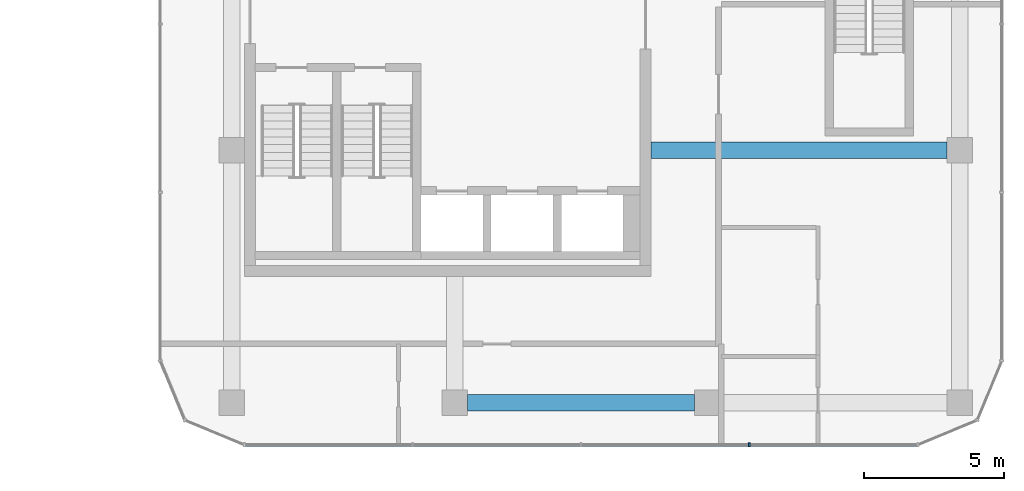
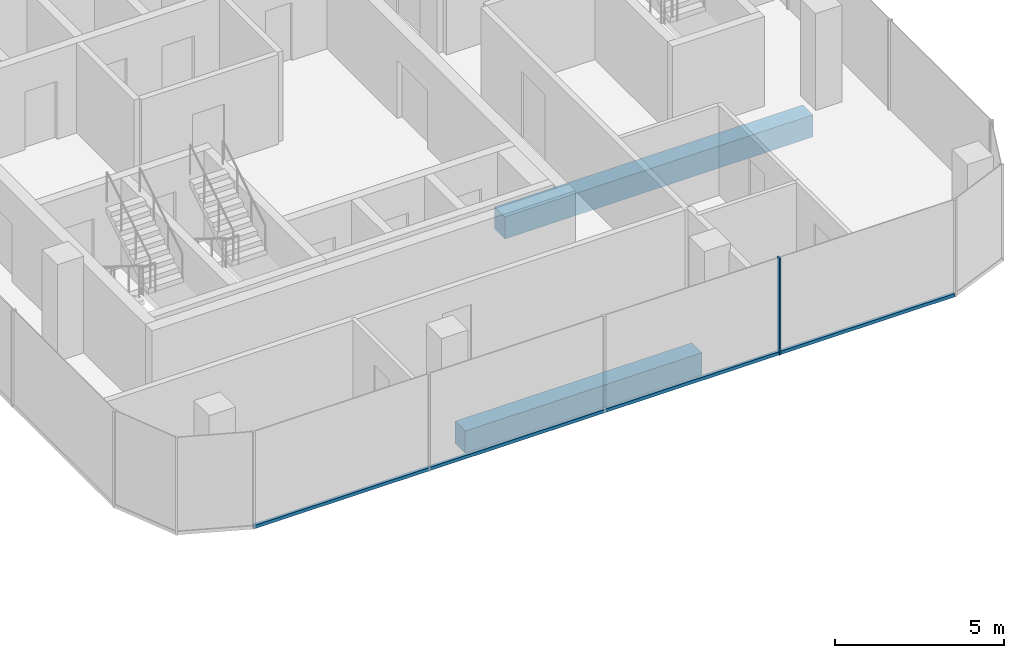
# One storey, part 8 of 23: 2 beams, 2 members, 1 element without a shape of its own.
"""IFC4 building model written with IfcOpenShell, lengths in metres."""

from ifc_helpers import new_model, si_unit, direction, frame, origin, origin_2d, place, context, subcontext, project, spatial, rectangle, extrude, material, layer, layer_set, material_profile, profile_set, type_object, element, aggregate, save


model = new_model("IFC4")

# Units and contexts
model_context = context("Model", 3, precision=1e-05, world=origin(), true_north=direction((0.0, 1.0)))
body_context = subcontext(model_context, "Body", "Model", "MODEL_VIEW")
ifc_project = project(units=[si_unit("LENGTHUNIT", "METRE"), si_unit("AREAUNIT", "SQUARE_METRE"), si_unit("VOLUMEUNIT", "CUBIC_METRE"), si_unit("PLANEANGLEUNIT", "RADIAN"), si_unit("MASSUNIT", "GRAM", prefix="KILO")], contexts=[model_context])

# Site, building, storey
site_placement = place(None, origin())
site = spatial("IfcSite", under=ifc_project, at=site_placement, CompositionType="ELEMENT")
building_placement = place(site_placement, origin())
building = spatial("IfcBuilding", under=site, at=building_placement, Name="Plateau Cross Towers", CompositionType="ELEMENT")
storey_placement = place(building_placement, frame((0.0, 0.0, 92.300048828125)))
storey = spatial("IfcBuildingStorey", under=building, at=storey_placement, Name="L23", CompositionType="ELEMENT", Elevation=92.300048828125)

# Beam
ifc_material_1 = material(Name="Concrete C60/75", Category="concrete")
ifc_material_profile_1 = material_profile(ifc_material_1, rectangle(XDim=0.60009765625, YDim=0.800048828125, at=origin_2d()), Name="RC 600x800")
ifc_profile_set_1 = profile_set([ifc_material_profile_1], Name="Concrete C60/75")
beam_type_1 = type_object("IfcBeamType", Name="Core beam RC 600x800", PredefinedType="BEAM", material=ifc_profile_set_1)
beam_1_placement = place(storey_placement, frame((89.5, 4.5, -0.650146484375), z_axis=(1.0, 0.0, 0.0), x_axis=(0.0, 1.0, 0.0)))
element("IfcBeam", 1, at=beam_1_placement, inside=storey, type_object=beam_type_1, Name="B-CB02@L23", PredefinedType="BEAM", context=body_context, shape_type="SweptSolid", body=[
    extrude(rectangle(XDim=0.60009765625, YDim=0.800048828125, at=origin_2d()), origin(), (0.0, 0.0, 1.0), 10.550048828125),
])

# Curtain wall, member
ifc_material_2 = material(Name="Dark low-iron glass", Category="glass")
ifc_layer = layer(ifc_material_2, 0.239990234375)
ifc_layer_set = layer_set([ifc_layer], Name="Dark low-iron glass")
curtain_wall_type = type_object("IfcCurtainWallType", Name="Curtain wall office unitised CW-F", PredefinedType="NOTDEFINED", material=ifc_layer_set)
curtain_wall_placement = place(storey_placement, origin())
curtain_wall = element("IfcCurtainWall", 2, at=curtain_wall_placement, inside=storey, type_object=curtain_wall_type, Name="ENV/B/L23/B750_-60", PredefinedType="NOTDEFINED")
ifc_material_3 = material(Name="Black anodised aluminium", Category="aluminium")
ifc_material_profile_2 = material_profile(ifc_material_3, rectangle(XDim=0.06005859375, YDim=0.139892578125, at=origin_2d()), Name="MULLION 60x140")
ifc_profile_set_2 = profile_set([ifc_material_profile_2], Name="Black anodised aluminium")
member_type_1 = type_object("IfcMemberType", Name="Mullion 60x140 office unitised", PredefinedType="MULLION", material=ifc_profile_set_2)
member_1_placement = place(storey_placement, frame((93.0, -6.0, -0.25), z_axis=(0.0, 0.0, 1.0), x_axis=(1.0, 0.0, 0.0)))
member_1 = element("IfcMember", 3, at=member_1_placement, type_object=member_type_1, Name="CW-F mullion 4", PredefinedType="MULLION", context=body_context, shape_type="SweptSolid", body=[
    extrude(rectangle(XDim=0.06005859375, YDim=0.139892578125, at=origin_2d()), origin(), (0.0, 0.0, 1.0), 3.5),
])

# Beam
ifc_material_profile_3 = material_profile(ifc_material_1, rectangle(XDim=0.60009765625, YDim=0.800048828125, at=origin_2d()), Name="RC 600x800")
ifc_profile_set_3 = profile_set([ifc_material_profile_3], Name="Concrete C60/75")
beam_type_2 = type_object("IfcBeamType", Name="Ring beam RC 600x800", PredefinedType="BEAM", material=ifc_profile_set_3)
beam_2_placement = place(storey_placement, frame((82.949951171875, -4.5, -0.650146484375), z_axis=(1.0, 0.0, 0.0), x_axis=(0.0, 1.0, 0.0)))
element("IfcBeam", 4, at=beam_2_placement, inside=storey, type_object=beam_type_2, Name="B-RB01@L23", PredefinedType="BEAM", context=body_context, shape_type="SweptSolid", body=[
    extrude(rectangle(XDim=0.60009765625, YDim=0.800048828125, at=origin_2d()), origin(), (0.0, 0.0, 1.0), 8.10009765625),
])

# Member
ifc_material_profile_4 = material_profile(ifc_material_3, rectangle(XDim=0.10009765625, YDim=0.1201171875, at=origin_2d()), Name="TRANSOM 100x120")
ifc_profile_set_4 = profile_set([ifc_material_profile_4], Name="Black anodised aluminium")
member_type_2 = type_object("IfcMemberType", Name="Transom 100x120 office unitised", PredefinedType="USERDEFINED", material=ifc_profile_set_4)
member_2_placement = place(storey_placement, frame((75.0, -6.0, -0.18994140625), z_axis=(1.0, 0.0, 0.0), x_axis=(0.0, 1.0, 0.0)))
member_2 = element("IfcMember", 5, at=member_2_placement, type_object=member_type_2, Name="CW-F transom", ObjectType="TRANSOM", PredefinedType="USERDEFINED", context=body_context, shape_type="SweptSolid", body=[
    extrude(rectangle(XDim=0.10009765625, YDim=0.1201171875, at=origin_2d()), origin(), (0.0, 0.0, 1.0), 24.0),
])

aggregate(curtain_wall, [member_1, member_2])

save(model, "model.ifc")
